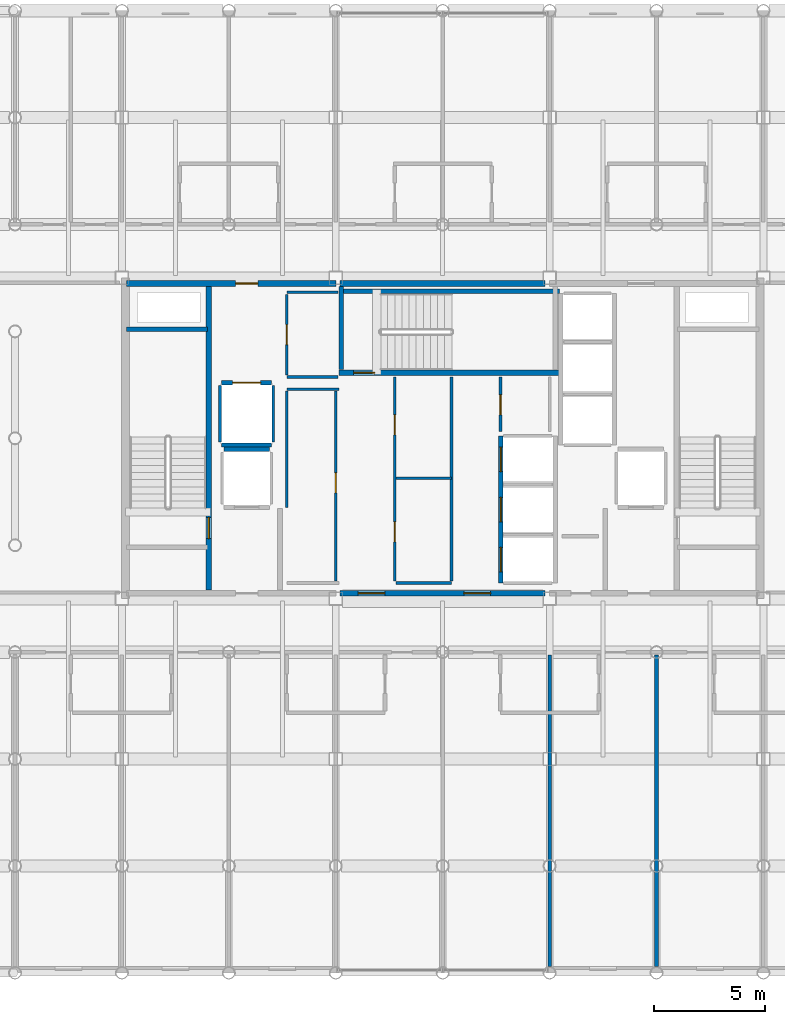
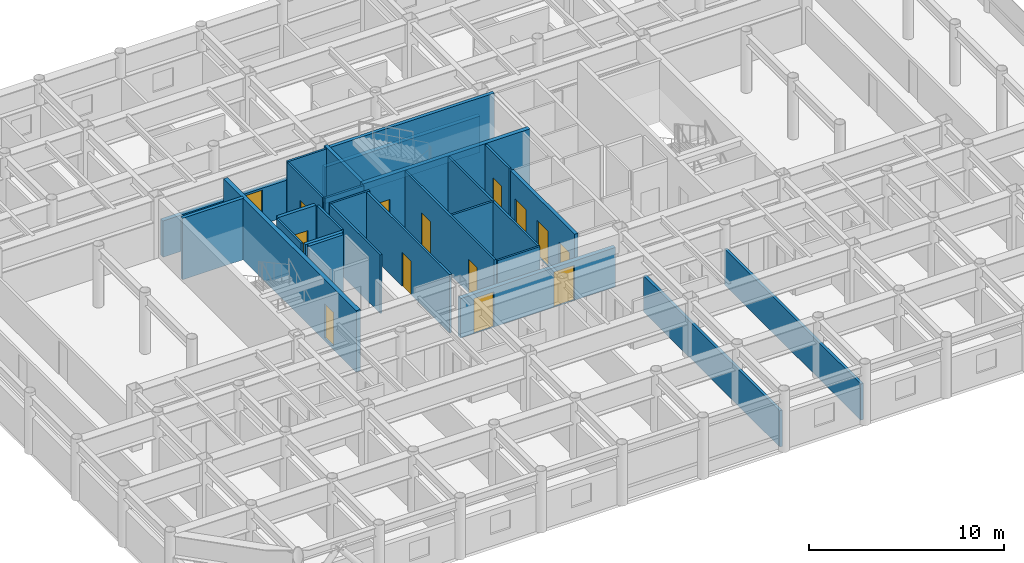
# One storey, part 18 of 22: 27 walls, 14 doors, 14 openings.
"""IFC4 building model written with IfcOpenShell, lengths in metres."""

from ifc_helpers import new_model, si_unit, direction, frame, frame_2d, origin, place, context, subcontext, project, spatial, rectangle, extrude, material, layer, layer_set, type_object, element, fill, save


model = new_model("IFC4")

# Units and contexts
model_context = context("Model", 3, precision=1e-05, world=origin(), true_north=direction((0.0, 1.0)))
body_context = subcontext(model_context, "Body", "Model", "MODEL_VIEW")
ifc_project = project(units=[si_unit("LENGTHUNIT", "METRE"), si_unit("AREAUNIT", "SQUARE_METRE"), si_unit("VOLUMEUNIT", "CUBIC_METRE"), si_unit("PLANEANGLEUNIT", "RADIAN"), si_unit("MASSUNIT", "GRAM", prefix="KILO")], contexts=[model_context])

# Site, building, storey
site_placement = place(None, origin())
site = spatial("IfcSite", under=ifc_project, at=site_placement, CompositionType="ELEMENT")
building_placement = place(site_placement, origin())
building = spatial("IfcBuilding", under=site, at=building_placement, Name="Kallvorn Hotel Tower", CompositionType="ELEMENT")
storey_placement = place(building_placement, frame((0.0, 0.0, 191.5)))
storey = spatial("IfcBuildingStorey", under=building, at=storey_placement, Name="L47", CompositionType="ELEMENT", Elevation=191.5)

# Walls
ifc_material_1 = material(Name="Fire-rated double-layer acoustic gypsum drywall EI 60")
ifc_layer_1 = layer(ifc_material_1, 0.159912109375)
ifc_layer_set_1 = layer_set([ifc_layer_1], Name="WL_DEMISE_160")
wall_type_1 = type_object("IfcWallType", Name="WL_DEMISE_160", PredefinedType="PARTITIONING", material=ifc_layer_set_1)
for number, where, z_axis, x_axis, name in (
    (1, (4.800048828125, -23.7099609375, 0.0), (0.0, 0.0, 1.0), (0.0, 1.0, 0.0), "L47 Suite 4705 Superior Twin Room Partition"),
    (2, (9.60009765625, -23.7099609375, 0.0), (0.0, 0.0, 1.0), (0.0, 1.0, 0.0), "L47 Suite 4706 Superior Twin Room Partition"),
):
    element("IfcWall", number, at=place(storey_placement, frame(where, z_axis=z_axis, x_axis=x_axis)), inside=storey, type_object=wall_type_1, Name=name, PredefinedType="PARTITIONING", context=body_context, shape_type="SweptSolid", body=[
        extrude(rectangle(XDim=13.989990234375, YDim=0.159912109375, at=frame_2d((6.9951171875, 0.0))), origin(), (0.0, 0.0, 1.0), 2.27001953125),
    ])
ifc_material_2 = material(Name="Concrete C40/50", Category="concrete")
ifc_layer_2 = layer(ifc_material_2, 0.199951171875)
ifc_layer_set_2 = layer_set([ifc_layer_2], Name="WL_HOIST_200")
wall_type_2 = type_object("IfcWallType", Name="WL_HOIST_200", PredefinedType="SOLIDWALL", material=ifc_layer_set_2)
wall_1_placement = place(storey_placement, frame((-14.199951171875, 4.89990234375, -0.179931640625), z_axis=(0.0, 0.0, 1.0), x_axis=(1.0, 0.0, 0.0)))
element("IfcWall", 3, at=wall_1_placement, inside=storey, type_object=wall_type_2, Name="L47 Stair ST1 North Wall", PredefinedType="SOLIDWALL", context=body_context, shape_type="SweptSolid", body=[
    extrude(rectangle(XDim=3.64990234375, YDim=0.199951171875, at=frame_2d((1.824951171875, 0.0))), origin(), (0.0, 0.0, 1.0), 3.849853515625),
])
wall_2_placement = place(storey_placement, frame((-4.64990234375, 6.610107421875, -0.179931640625), z_axis=(0.0, 0.0, 1.0), x_axis=(1.0, 0.0, 0.0)))
element("IfcWall", 4, at=wall_2_placement, inside=storey, type_object=wall_type_2, Name="L47 Stair ST3 Shaft North Wall", PredefinedType="SOLIDWALL", context=body_context, shape_type="SweptSolid", body=[
    extrude(rectangle(XDim=9.89990234375, YDim=0.199951171875, at=frame_2d((4.949951171875, 0.0))), origin(), (0.0, 0.0, 1.0), 3.849853515625),
])
wall_3_placement = place(storey_placement, frame((-4.550048828125, 3.080078125, -0.179931640625), z_axis=(0.0, 0.0, 1.0), x_axis=(0.0, 1.0, 0.0)))
element("IfcWall", 5, at=wall_3_placement, inside=storey, type_object=wall_type_2, Name="L47 Stair ST3 West Wall", PredefinedType="SOLIDWALL", context=body_context, shape_type="SweptSolid", body=[
    extrude(rectangle(XDim=3.739990234375, YDim=0.199951171875, at=frame_2d((1.8701171875, 0.0))), origin(), (0.0, 0.0, 1.0), 3.849853515625),
])

# Wall, openings, doors
wall_4_placement = place(storey_placement, frame((2.60009765625, -6.5, 0.0), z_axis=(0.0, 0.0, 1.0), x_axis=(0.0, 1.0, 0.0)))
wall_4 = element("IfcWall", 6, at=wall_4_placement, inside=storey, type_object=wall_type_2, Name="L47 Lift Bank B3A Landing Wall", PredefinedType="SOLIDWALL", context=body_context, shape_type="SweptSolid", body=[
    extrude(rectangle(XDim=6.60009765625, YDim=0.199951171875, at=frame_2d((3.300048828125, 0.0))), origin(), (0.0, 0.0, 1.0), 3.669921875),
])
opening_1_placement = place(wall_4_placement, frame((0.5, 0.0, 0.0)))
opening_1 = element("IfcOpeningElement", 7, at=opening_1_placement, cuts=wall_4, Name="Opening LD-PL-09", PredefinedType="OPENING", context=body_context, shape_type="SweptSolid", body=[
    extrude(rectangle(XDim=1.10009765625, YDim=2.199951171875, at=frame_2d((0.550048828125, 1.10009765625))), frame((0.0, 0.114990234375, 0.0), z_axis=(0.0, -1.0, 0.0), x_axis=(1.0, 0.0, 0.0)), (0.0, 0.0, 1.0), 0.22998046875),
])
opening_2_placement = place(wall_4_placement, frame((2.75, 0.0, 0.0)))
opening_2 = element("IfcOpeningElement", 8, at=opening_2_placement, cuts=wall_4, Name="Opening LD-PL-10", PredefinedType="OPENING", context=body_context, shape_type="SweptSolid", body=[
    extrude(rectangle(XDim=1.10009765625, YDim=2.199951171875, at=frame_2d((0.550048828125, 1.10009765625))), frame((0.0, 0.114990234375, 0.0), z_axis=(0.0, -1.0, 0.0), x_axis=(1.0, 0.0, 0.0)), (0.0, 0.0, 1.0), 0.22998046875),
])
opening_3_placement = place(wall_4_placement, frame((5.0, 0.0, 0.0)))
opening_3 = element("IfcOpeningElement", 9, at=opening_3_placement, cuts=wall_4, Name="Opening LD-PL-11", PredefinedType="OPENING", context=body_context, shape_type="SweptSolid", body=[
    extrude(rectangle(XDim=1.10009765625, YDim=2.199951171875, at=frame_2d((0.550048828125, 1.10009765625))), frame((0.0, 0.114990234375, 0.0), z_axis=(0.0, -1.0, 0.0), x_axis=(1.0, 0.0, 0.0)), (0.0, 0.0, 1.0), 0.22998046875),
])
ifc_material_3 = material(Name="Brushed stainless-steel automatic sliding lift landing door", Category="steel")
door_type_1 = type_object("IfcDoorType", Name="LD_PASS_1100x2200", OperationType="SLIDING_TO_LEFT", PredefinedType="DOOR", material=ifc_material_3)
door_1_placement = place(opening_1_placement, origin())
door_1 = element("IfcDoor", 10, at=door_1_placement, inside=storey, type_object=door_type_1, Name="L47 Lift Landing Sliding Door LD-PL-09", OperationType="SLIDING_TO_LEFT", OverallHeight=2.199951171875, OverallWidth=1.10009765625, PredefinedType="DOOR", context=body_context, shape_type="SweptSolid", body=[
    extrude(rectangle(XDim=1.10009765625, YDim=2.199951171875, at=frame_2d((0.550048828125, 1.10009765625))), frame((0.0, 0.02490234375, 0.0), z_axis=(0.0, -1.0, 0.0), x_axis=(1.0, 0.0, 0.0)), (0.0, 0.0, 1.0), 0.050048828125),
])
fill(opening_1, door_1)
door_2_placement = place(opening_2_placement, origin())
door_2 = element("IfcDoor", 11, at=door_2_placement, inside=storey, type_object=door_type_1, Name="L47 Lift Landing Sliding Door LD-PL-10", OperationType="SLIDING_TO_LEFT", OverallHeight=2.199951171875, OverallWidth=1.10009765625, PredefinedType="DOOR", context=body_context, shape_type="SweptSolid", body=[
    extrude(rectangle(XDim=1.10009765625, YDim=2.199951171875, at=frame_2d((0.550048828125, 1.10009765625))), frame((0.0, 0.02490234375, 0.0), z_axis=(0.0, -1.0, 0.0), x_axis=(1.0, 0.0, 0.0)), (0.0, 0.0, 1.0), 0.050048828125),
])
fill(opening_2, door_2)
door_3_placement = place(opening_3_placement, origin())
door_3 = element("IfcDoor", 12, at=door_3_placement, inside=storey, type_object=door_type_1, Name="L47 Lift Landing Sliding Door LD-PL-11", OperationType="SLIDING_TO_LEFT", OverallHeight=2.199951171875, OverallWidth=1.10009765625, PredefinedType="DOOR", context=body_context, shape_type="SweptSolid", body=[
    extrude(rectangle(XDim=1.10009765625, YDim=2.199951171875, at=frame_2d((0.550048828125, 1.10009765625))), frame((0.0, 0.02490234375, 0.0), z_axis=(0.0, -1.0, 0.0), x_axis=(1.0, 0.0, 0.0)), (0.0, 0.0, 1.0), 0.050048828125),
])
fill(opening_3, door_3)

# Wall
wall_5_placement = place(storey_placement, frame((-9.820068359375, -0.5, 0.0), z_axis=(0.0, 0.0, 1.0), x_axis=(1.0, 0.0, 0.0)))
element("IfcWall", 13, at=wall_5_placement, inside=storey, type_object=wall_type_2, Name="L47 FL-1 Rear Shaft Wall", PredefinedType="SOLIDWALL", context=body_context, shape_type="SweptSolid", body=[
    extrude(rectangle(XDim=2.0400390625, YDim=0.199951171875, at=frame_2d((1.02001953125, 0.0))), origin(), (0.0, 0.0, 1.0), 3.669921875),
])

# Wall, opening, door
wall_6_placement = place(storey_placement, frame((-9.919921875, 2.5, 0.0), z_axis=(0.0, 0.0, 1.0), x_axis=(1.0, 0.0, 0.0)))
wall_6 = element("IfcWall", 14, at=wall_6_placement, inside=storey, type_object=wall_type_2, Name="L47 SV-01 Landing Wall", PredefinedType="SOLIDWALL", context=body_context, shape_type="SweptSolid", body=[
    extrude(rectangle(XDim=2.239990234375, YDim=0.199951171875, at=frame_2d((1.1201171875, 0.0))), origin(), (0.0, 0.0, 1.0), 3.669921875),
])
opening_4_placement = place(wall_6_placement, frame((0.4951171875, 0.0, 0.0)))
opening_4 = element("IfcOpeningElement", 15, at=opening_4_placement, cuts=wall_6, Name="Opening LD-SV-01", PredefinedType="OPENING", context=body_context, shape_type="SweptSolid", body=[
    extrude(rectangle(XDim=1.25, YDim=2.25, at=frame_2d((0.625, 1.125))), frame((0.0, 0.114990234375, 0.0), z_axis=(0.0, -1.0, 0.0), x_axis=(1.0, 0.0, 0.0)), (0.0, 0.0, 1.0), 0.22998046875),
])
ifc_material_4 = material(Name="Brushed stainless-steel automatic sliding lift landing door", Category="steel")
door_type_2 = type_object("IfcDoorType", Name="LD_SERV_1250x2250", OperationType="SLIDING_TO_LEFT", PredefinedType="DOOR", material=ifc_material_4)
door_4_placement = place(opening_4_placement, origin())
door_4 = element("IfcDoor", 16, at=door_4_placement, inside=storey, type_object=door_type_2, Name="L47 Lift Landing Sliding Door LD-SV-01", OperationType="SLIDING_TO_LEFT", OverallHeight=2.25, OverallWidth=1.25, PredefinedType="DOOR", context=body_context, shape_type="SweptSolid", body=[
    extrude(rectangle(XDim=1.25, YDim=2.25, at=frame_2d((0.625, 1.125))), frame((0.0, 0.02490234375, 0.0), z_axis=(0.0, -1.0, 0.0), x_axis=(1.0, 0.0, 0.0)), (0.0, 0.0, 1.0), 0.050048828125),
])
fill(opening_4, door_4)

# Walls
wall_7_placement = place(storey_placement, frame((-9.919921875, -0.300048828125, 0.0), z_axis=(0.0, 0.0, 1.0), x_axis=(1.0, 0.0, 0.0)))
element("IfcWall", 17, at=wall_7_placement, inside=storey, type_object=wall_type_2, Name="L47 SV-01 Rear Shaft Wall", PredefinedType="SOLIDWALL", context=body_context, shape_type="SweptSolid", body=[
    extrude(rectangle(XDim=2.239990234375, YDim=0.199951171875, at=frame_2d((1.1201171875, 0.0))), origin(), (0.0, 0.0, 1.0), 3.669921875),
])
ifc_material_5 = material(Name="Fire-rated double-layer acoustic gypsum drywall EI 60")
ifc_layer_3 = layer(ifc_material_5, 0.1201171875)
ifc_layer_set_3 = layer_set([ifc_layer_3], Name="WL_INT_120")
wall_type_3 = type_object("IfcWallType", Name="WL_INT_120", PredefinedType="PARTITIONING", material=ifc_layer_set_3)
for number, where, z_axis, x_axis, name in (
    (18, (-10.0, -0.159912109375, 0.0), (0.0, 0.0, 1.0), (0.0, 1.0, 0.0), "L47 SV-01 West Shaft Wall"),
    (19, (-7.60009765625, -0.159912109375, 0.0), (0.0, 0.0, 1.0), (0.0, 1.0, 0.0), "L47 SV-01 East Shaft Wall"),
):
    element("IfcWall", number, at=place(storey_placement, frame(where, z_axis=z_axis, x_axis=x_axis)), inside=storey, type_object=wall_type_3, Name=name, PredefinedType="PARTITIONING", context=body_context, shape_type="SweptSolid", body=[
        extrude(rectangle(XDim=2.52001953125, YDim=0.1201171875, at=frame_2d((1.260009765625, 0.0))), origin(), (0.0, 0.0, 1.0), 3.669921875),
    ])
for number, where, z_axis, x_axis, name in (
    (20, (-2.10009765625, -6.5, 0.0), (0.0, 0.0, 1.0), (1.0, 0.0, 0.0), "L47 High-Zone Sommelier and Beverage Pantry Partition"),
    (21, (-2.10009765625, -1.800048828125, 0.0), (0.0, 0.0, 1.0), (1.0, 0.0, 0.0), "L47 High-Zone Housekeeping Reserve Store Partition"),
):
    element("IfcWall", number, at=place(storey_placement, frame(where, z_axis=z_axis, x_axis=x_axis)), inside=storey, type_object=wall_type_3, Name=name, PredefinedType="PARTITIONING", context=body_context, shape_type="SweptSolid", body=[
        extrude(rectangle(XDim=2.5, YDim=0.1201171875, at=frame_2d((1.25, 0.0))), origin(), (0.0, 0.0, 1.0), 3.669921875),
    ])
wall_8_placement = place(storey_placement, frame((-7.0, 2.199951171875, 0.0), z_axis=(0.0, 0.0, 1.0), x_axis=(1.0, 0.0, 0.0)))
element("IfcWall", 22, at=wall_8_placement, inside=storey, type_object=wall_type_3, Name="L47 Recaptured Butler and Room-Service Pantry Partition", PredefinedType="PARTITIONING", context=body_context, shape_type="SweptSolid", body=[
    extrude(rectangle(XDim=2.35009765625, YDim=0.1201171875, at=frame_2d((1.175048828125, 0.0))), origin(), (0.0, 0.0, 1.0), 3.669921875),
])
for number, where, z_axis, x_axis, name in (
    (23, (-7.0, 2.75, 0.0), (0.0, 0.0, 1.0), (1.0, 0.0, 0.0), "L47 Recaptured Valet and Linen Reserve Store Partition"),
    (24, (-7.0, 6.550048828125, 0.0), (0.0, 0.0, 1.0), (1.0, 0.0, 0.0), "L47 Recaptured Valet and Linen Reserve Store Partition"),
):
    element("IfcWall", number, at=place(storey_placement, frame(where, z_axis=z_axis, x_axis=x_axis)), inside=storey, type_object=wall_type_3, Name=name, PredefinedType="PARTITIONING", context=body_context, shape_type="SweptSolid", body=[
        extrude(rectangle(XDim=2.31005859375, YDim=0.1201171875, at=frame_2d((1.155029296875, 0.0))), origin(), (0.0, 0.0, 1.0), 3.669921875),
    ])
wall_9_placement = place(storey_placement, frame((-7.0048828125, -3.110107421875, 0.0), z_axis=(0.0, 0.0, 1.0), x_axis=(0.0, 1.0, 0.0)))
element("IfcWall", 25, at=wall_9_placement, inside=storey, type_object=wall_type_3, Name="L47 Recaptured Butler and Room-Service Pantry Partition", PredefinedType="PARTITIONING", context=body_context, shape_type="SweptSolid", body=[
    extrude(rectangle(XDim=5.22509765625, YDim=0.1201171875, at=frame_2d((2.612548828125, 0.0))), origin(), (0.0, 0.0, 1.0), 3.669921875),
])

# Wall, opening, door
wall_10_placement = place(storey_placement, frame((-7.0048828125, 2.8349609375, 0.0), z_axis=(0.0, 0.0, 1.0), x_axis=(0.0, 1.0, 0.0)))
wall_10 = element("IfcWall", 26, at=wall_10_placement, inside=storey, type_object=wall_type_3, Name="L47 Recaptured Valet and Linen Reserve Store Partition", PredefinedType="PARTITIONING", context=body_context, shape_type="SweptSolid", body=[
    extrude(rectangle(XDim=3.630126953125, YDim=0.1201171875, at=frame_2d((1.81494140625, 0.0))), origin(), (0.0, 0.0, 1.0), 3.669921875),
])
opening_5_placement = place(wall_10_placement, frame((1.364990234375, 0.0, 0.0)))
opening_5 = element("IfcOpeningElement", 27, at=opening_5_placement, cuts=wall_10, Name="Opening SVD1", PredefinedType="OPENING", context=body_context, shape_type="SweptSolid", body=[
    extrude(rectangle(XDim=0.89990234375, YDim=2.10009765625, at=frame_2d((0.449951171875, 1.050048828125))), frame((0.0, 0.074951171875, 0.0), z_axis=(0.0, -1.0, 0.0), x_axis=(1.0, 0.0, 0.0)), (0.0, 0.0, 1.0), 0.150146484375),
])
ifc_material_6 = material(Name="Galvanised painted steel fire-rated door assembly", Category="steel")
door_type_3 = type_object("IfcDoorType", Name="DR_SERV_900x2100", OperationType="NOTDEFINED", PredefinedType="DOOR", material=ifc_material_6)
door_5_placement = place(opening_5_placement, origin())
door_5 = element("IfcDoor", 28, at=door_5_placement, inside=storey, type_object=door_type_3, Name="L47 Recaptured Valet and Linen Reserve Store Door", OperationType="SINGLE_SWING_LEFT", OverallHeight=2.10009765625, OverallWidth=0.89990234375, PredefinedType="DOOR", context=body_context, shape_type="SweptSolid", body=[
    extrude(rectangle(XDim=0.89990234375, YDim=2.10009765625, at=frame_2d((0.449951171875, 1.050048828125))), frame((0.0, 0.02490234375, 0.0), z_axis=(0.0, -1.0, 0.0), x_axis=(1.0, 0.0, 0.0)), (0.0, 0.0, 1.0), 0.050048828125),
])
fill(opening_5, door_5)

wall_11_placement = place(storey_placement, frame((-4.800048828125, -6.4150390625, 0.0), z_axis=(0.0, 0.0, 1.0), x_axis=(0.0, 1.0, 0.0)))
wall_11 = element("IfcWall", 29, at=wall_11_placement, inside=storey, type_object=wall_type_3, Name="L47 Recaptured Butler and Room-Service Pantry Partition", PredefinedType="PARTITIONING", context=body_context, shape_type="SweptSolid", body=[
    extrude(rectangle(XDim=8.530029296875, YDim=0.1201171875, at=frame_2d((4.26513671875, 0.0))), origin(), (0.0, 0.0, 1.0), 3.669921875),
])
opening_6_placement = place(wall_11_placement, frame((3.965087890625, 0.0, 0.0)))
opening_6 = element("IfcOpeningElement", 30, at=opening_6_placement, cuts=wall_11, Name="Opening SVD1", PredefinedType="OPENING", context=body_context, shape_type="SweptSolid", body=[
    extrude(rectangle(XDim=0.89990234375, YDim=2.10009765625, at=frame_2d((0.449951171875, 1.050048828125))), frame((0.0, 0.074951171875, 0.0), z_axis=(0.0, -1.0, 0.0), x_axis=(1.0, 0.0, 0.0)), (0.0, 0.0, 1.0), 0.150146484375),
])
door_6_placement = place(opening_6_placement, origin())
door_6 = element("IfcDoor", 31, at=door_6_placement, inside=storey, type_object=door_type_3, Name="L47 Recaptured Butler and Room-Service Pantry Door", OperationType="SINGLE_SWING_RIGHT", OverallHeight=2.10009765625, OverallWidth=0.89990234375, PredefinedType="DOOR", context=body_context, shape_type="SweptSolid", body=[
    extrude(rectangle(XDim=0.89990234375, YDim=2.10009765625, at=frame_2d((0.449951171875, 1.050048828125))), frame((0.0, 0.02490234375, 0.0), z_axis=(0.0, -1.0, 0.0), x_axis=(1.0, 0.0, 0.0)), (0.0, 0.0, 1.0), 0.050048828125),
])
fill(opening_6, door_6)

# Wall, openings, doors
wall_12_placement = place(storey_placement, frame((-2.155029296875, -6.4150390625, 0.0), z_axis=(0.0, 0.0, 1.0), x_axis=(0.0, 1.0, 0.0)))
wall_12 = element("IfcWall", 32, at=wall_12_placement, inside=storey, type_object=wall_type_3, Name="L47 High-Zone Sommelier and Beverage Pantry Partition", PredefinedType="PARTITIONING", context=body_context, shape_type="SweptSolid", body=[
    extrude(rectangle(XDim=9.1650390625, YDim=0.1201171875, at=frame_2d((4.58251953125, 0.0))), origin(), (0.0, 0.0, 1.0), 3.669921875),
])
opening_7_placement = place(wall_12_placement, frame((1.764892578125, 0.0, 0.0)))
opening_7 = element("IfcOpeningElement", 33, at=opening_7_placement, cuts=wall_12, Name="Opening SVD1", PredefinedType="OPENING", context=body_context, shape_type="SweptSolid", body=[
    extrude(rectangle(XDim=0.89990234375, YDim=2.10009765625, at=frame_2d((0.449951171875, 1.050048828125))), frame((0.0, 0.074951171875, 0.0), z_axis=(0.0, -1.0, 0.0), x_axis=(1.0, 0.0, 0.0)), (0.0, 0.0, 1.0), 0.150146484375),
])
opening_8_placement = place(wall_12_placement, frame((6.56494140625, 0.0, 0.0)))
opening_8 = element("IfcOpeningElement", 34, at=opening_8_placement, cuts=wall_12, Name="Opening SVD1", PredefinedType="OPENING", context=body_context, shape_type="SweptSolid", body=[
    extrude(rectangle(XDim=0.89990234375, YDim=2.10009765625, at=frame_2d((0.449951171875, 1.050048828125))), frame((0.0, 0.074951171875, 0.0), z_axis=(0.0, -1.0, 0.0), x_axis=(1.0, 0.0, 0.0)), (0.0, 0.0, 1.0), 0.150146484375),
])
door_7_placement = place(opening_7_placement, origin())
door_7 = element("IfcDoor", 35, at=door_7_placement, inside=storey, type_object=door_type_3, Name="L47 High-Zone Sommelier and Beverage Pantry Door", OperationType="SINGLE_SWING_LEFT", OverallHeight=2.10009765625, OverallWidth=0.89990234375, PredefinedType="DOOR", context=body_context, shape_type="SweptSolid", body=[
    extrude(rectangle(XDim=0.89990234375, YDim=2.10009765625, at=frame_2d((0.449951171875, 1.050048828125))), frame((0.0, 0.02490234375, 0.0), z_axis=(0.0, -1.0, 0.0), x_axis=(1.0, 0.0, 0.0)), (0.0, 0.0, 1.0), 0.050048828125),
])
fill(opening_7, door_7)
door_8_placement = place(opening_8_placement, origin())
door_8 = element("IfcDoor", 36, at=door_8_placement, inside=storey, type_object=door_type_3, Name="L47 High-Zone Housekeeping Reserve Store Door", OperationType="SINGLE_SWING_LEFT", OverallHeight=2.10009765625, OverallWidth=0.89990234375, PredefinedType="DOOR", context=body_context, shape_type="SweptSolid", body=[
    extrude(rectangle(XDim=0.89990234375, YDim=2.10009765625, at=frame_2d((0.449951171875, 1.050048828125))), frame((0.0, 0.02490234375, 0.0), z_axis=(0.0, -1.0, 0.0), x_axis=(1.0, 0.0, 0.0)), (0.0, 0.0, 1.0), 0.050048828125),
])
fill(opening_8, door_8)

# Wall
wall_13_placement = place(storey_placement, frame((0.39990234375, -6.4150390625, 0.0), z_axis=(0.0, 0.0, 1.0), x_axis=(0.0, 1.0, 0.0)))
element("IfcWall", 37, at=wall_13_placement, inside=storey, type_object=wall_type_3, Name="L47 High-Zone Sommelier and Beverage Pantry Partition", PredefinedType="PARTITIONING", context=body_context, shape_type="SweptSolid", body=[
    extrude(rectangle(XDim=9.1650390625, YDim=0.1201171875, at=frame_2d((4.58251953125, 0.0))), origin(), (0.0, 0.0, 1.0), 3.669921875),
])

# Wall, opening, door
wall_14_placement = place(storey_placement, frame((2.59326171875, 0.300048828125, 0.0), z_axis=(0.0, 0.0, 1.0), x_axis=(0.0, 1.0, 0.0)))
wall_14 = element("IfcWall", 38, at=wall_14_placement, inside=storey, type_object=wall_type_3, Name="L47 East Core Janitor Room Partition", PredefinedType="PARTITIONING", context=body_context, shape_type="SweptSolid", body=[
    extrude(rectangle(XDim=2.449951171875, YDim=0.1201171875, at=frame_2d((1.22509765625, 0.0))), origin(), (0.0, 0.0, 1.0), 3.669921875),
])
opening_9_placement = place(wall_14_placement, frame((0.75, 0.0, 0.0)))
opening_9 = element("IfcOpeningElement", 39, at=opening_9_placement, cuts=wall_14, Name="Opening SVD1", PredefinedType="OPENING", context=body_context, shape_type="SweptSolid", body=[
    extrude(rectangle(XDim=0.89990234375, YDim=2.10009765625, at=frame_2d((0.449951171875, 1.050048828125))), frame((0.0, 0.074951171875, 0.0), z_axis=(0.0, -1.0, 0.0), x_axis=(1.0, 0.0, 0.0)), (0.0, 0.0, 1.0), 0.150146484375),
])
door_9_placement = place(opening_9_placement, origin())
door_9 = element("IfcDoor", 40, at=door_9_placement, inside=storey, type_object=door_type_3, Name="L47 East Core Janitor Room Door", OperationType="SINGLE_SWING_LEFT", OverallHeight=2.10009765625, OverallWidth=0.89990234375, PredefinedType="DOOR", context=body_context, shape_type="SweptSolid", body=[
    extrude(rectangle(XDim=0.89990234375, YDim=2.10009765625, at=frame_2d((0.449951171875, 1.050048828125))), frame((0.0, 0.02490234375, 0.0), z_axis=(0.0, -1.0, 0.0), x_axis=(1.0, 0.0, 0.0)), (0.0, 0.0, 1.0), 0.050048828125),
])
fill(opening_9, door_9)

# Wall, openings, doors
ifc_material_7 = material(Name="Concrete C40/50", Category="concrete")
ifc_layer_4 = layer(ifc_material_7, 0.25)
ifc_layer_set_4 = layer_set([ifc_layer_4], Name="WL_SHAFT_250")
wall_type_4 = type_object("IfcWallType", Name="WL_SHAFT_250", PredefinedType="SOLIDWALL", material=ifc_layer_set_4)
wall_15_placement = place(storey_placement, frame((-4.60009765625, -6.949951171875, 0.0), z_axis=(0.0, 0.0, 1.0), x_axis=(1.0, 0.0, 0.0)))
wall_15 = element("IfcWall", 41, at=wall_15_placement, inside=storey, type_object=wall_type_4, Name="L47 Core South-Central Wall", PredefinedType="SOLIDWALL", context=body_context, shape_type="SweptSolid", body=[
    extrude(rectangle(XDim=9.2001953125, YDim=0.25, at=frame_2d((4.60009765625, 0.0))), origin(), (0.0, 0.0, 1.0), 2.469970703125),
])
opening_10_placement = place(wall_15_placement, frame((0.800048828125, 0.0, 0.0)))
opening_10 = element("IfcOpeningElement", 42, at=opening_10_placement, cuts=wall_15, Name="Opening FD2", PredefinedType="OPENING", context=body_context, shape_type="SweptSolid", body=[
    extrude(rectangle(XDim=1.199951171875, YDim=2.199951171875, at=frame_2d((0.60009765625, 1.10009765625))), frame((0.0, 0.139892578125, 0.0), z_axis=(0.0, -1.0, 0.0), x_axis=(1.0, 0.0, 0.0)), (0.0, 0.0, 1.0), 0.280029296875),
])
opening_11_placement = place(wall_15_placement, frame((5.550048828125, 0.0, 0.0)))
opening_11 = element("IfcOpeningElement", 43, at=opening_11_placement, cuts=wall_15, Name="Opening FD2", PredefinedType="OPENING", context=body_context, shape_type="SweptSolid", body=[
    extrude(rectangle(XDim=1.199951171875, YDim=2.199951171875, at=frame_2d((0.60009765625, 1.10009765625))), frame((0.0, 0.139892578125, 0.0), z_axis=(0.0, -1.0, 0.0), x_axis=(1.0, 0.0, 0.0)), (0.0, 0.0, 1.0), 0.280029296875),
])
ifc_material_8 = material(Name="Galvanised painted steel fire-rated door assembly", Category="steel")
door_type_4 = type_object("IfcDoorType", Name="DR_LOBBY_1200x2200", OperationType="DOUBLE_DOOR_SINGLE_SWING", PredefinedType="DOOR", material=ifc_material_8)
door_10_placement = place(opening_10_placement, origin())
door_10 = element("IfcDoor", 44, at=door_10_placement, inside=storey, type_object=door_type_4, Name="L47 West Passenger Lift Lobby Door", OperationType="DOUBLE_DOOR_SINGLE_SWING", OverallHeight=2.199951171875, OverallWidth=1.199951171875, PredefinedType="DOOR", context=body_context, shape_type="SweptSolid", body=[
    extrude(rectangle(XDim=1.199951171875, YDim=2.199951171875, at=frame_2d((0.60009765625, 1.10009765625))), frame((0.0, 0.02490234375, 0.0), z_axis=(0.0, -1.0, 0.0), x_axis=(1.0, 0.0, 0.0)), (0.0, 0.0, 1.0), 0.050048828125),
])
fill(opening_10, door_10)
door_11_placement = place(opening_11_placement, origin())
door_11 = element("IfcDoor", 45, at=door_11_placement, inside=storey, type_object=door_type_4, Name="L47 East Passenger Lift Lobby Door", OperationType="DOUBLE_DOOR_SINGLE_SWING", OverallHeight=2.199951171875, OverallWidth=1.199951171875, PredefinedType="DOOR", context=body_context, shape_type="SweptSolid", body=[
    extrude(rectangle(XDim=1.199951171875, YDim=2.199951171875, at=frame_2d((0.60009765625, 1.10009765625))), frame((0.0, 0.02490234375, 0.0), z_axis=(0.0, -1.0, 0.0), x_axis=(1.0, 0.0, 0.0)), (0.0, 0.0, 1.0), 0.050048828125),
])
fill(opening_11, door_11)

# Wall, opening, door
wall_16_placement = place(storey_placement, frame((-14.199951171875, 6.949951171875, 0.0), z_axis=(0.0, 0.0, 1.0), x_axis=(1.0, 0.0, 0.0)))
wall_16 = element("IfcWall", 46, at=wall_16_placement, inside=storey, type_object=wall_type_4, Name="L47 Core North-West Wall", PredefinedType="SOLIDWALL", context=body_context, shape_type="SweptSolid", body=[
    extrude(rectangle(XDim=9.39990234375, YDim=0.25, at=frame_2d((4.699951171875, 0.0))), origin(), (0.0, 0.0, 1.0), 2.27001953125),
])
opening_12_placement = place(wall_16_placement, frame((4.89990234375, 0.0, 0.0)))
opening_12 = element("IfcOpeningElement", 47, at=opening_12_placement, cuts=wall_16, Name="Opening FD1", PredefinedType="OPENING", context=body_context, shape_type="SweptSolid", body=[
    extrude(rectangle(XDim=1.0, YDim=2.14990234375, at=frame_2d((0.5, 1.074951171875))), frame((0.0, 0.139892578125, 0.0), z_axis=(0.0, -1.0, 0.0), x_axis=(1.0, 0.0, 0.0)), (0.0, 0.0, 1.0), 0.280029296875),
])
ifc_material_9 = material(Name="Galvanised painted steel fire-rated door assembly", Category="steel")
door_type_5 = type_object("IfcDoorType", Name="DR_FFL_1000x2150", OperationType="NOTDEFINED", PredefinedType="DOOR", material=ifc_material_9)
door_12_placement = place(opening_12_placement, origin())
door_12 = element("IfcDoor", 48, at=door_12_placement, inside=storey, type_object=door_type_5, Name="L47 Service Lift Lobby Door", OperationType="SINGLE_SWING_LEFT", OverallHeight=2.14990234375, OverallWidth=1.0, PredefinedType="DOOR", context=body_context, shape_type="SweptSolid", body=[
    extrude(rectangle(XDim=1.0, YDim=2.14990234375, at=frame_2d((0.5, 1.074951171875))), frame((0.0, 0.02490234375, 0.0), z_axis=(0.0, -1.0, 0.0), x_axis=(1.0, 0.0, 0.0)), (0.0, 0.0, 1.0), 0.050048828125),
])
fill(opening_12, door_12)

# Wall
wall_17_placement = place(storey_placement, frame((-4.60009765625, 6.949951171875, 0.0), z_axis=(0.0, 0.0, 1.0), x_axis=(1.0, 0.0, 0.0)))
element("IfcWall", 49, at=wall_17_placement, inside=storey, type_object=wall_type_4, Name="L47 Core North-Central Wall", PredefinedType="SOLIDWALL", context=body_context, shape_type="SweptSolid", body=[
    extrude(rectangle(XDim=9.2001953125, YDim=0.25, at=frame_2d((4.60009765625, 0.0))), origin(), (0.0, 0.0, 1.0), 2.27001953125),
])

# Wall, opening, door
wall_18_placement = place(storey_placement, frame((-10.5, -6.820068359375, -0.179931640625), z_axis=(0.0, 0.0, 1.0), x_axis=(0.0, 1.0, 0.0)))
wall_18 = element("IfcWall", 50, at=wall_18_placement, inside=storey, type_object=wall_type_4, Name="L47 Stair ST1 Shaft Wall", PredefinedType="SOLIDWALL", context=body_context, shape_type="SweptSolid", body=[
    extrude(rectangle(XDim=13.64013671875, YDim=0.25, at=frame_2d((6.820068359375, 0.0))), origin(), (0.0, 0.0, 1.0), 3.849853515625),
])
opening_13_placement = place(wall_18_placement, frame((2.320068359375, 0.0, 0.179931640625)))
opening_13 = element("IfcOpeningElement", 51, at=opening_13_placement, cuts=wall_18, Name="Opening SD1", PredefinedType="OPENING", context=body_context, shape_type="SweptSolid", body=[
    extrude(rectangle(XDim=0.949951171875, YDim=2.14990234375, at=frame_2d((0.47509765625, 1.074951171875))), frame((0.0, 0.139892578125, 0.0), z_axis=(0.0, -1.0, 0.0), x_axis=(1.0, 0.0, 0.0)), (0.0, 0.0, 1.0), 0.280029296875),
])
ifc_material_10 = material(Name="Galvanised painted steel fire-rated door assembly", Category="steel")
door_type_6 = type_object("IfcDoorType", Name="DR_STAIR_950x2150", OperationType="NOTDEFINED", PredefinedType="DOOR", material=ifc_material_10)
door_13_placement = place(opening_13_placement, origin())
door_13 = element("IfcDoor", 52, at=door_13_placement, inside=storey, type_object=door_type_6, Name="L47 Exit Stair ST1 Fire Door", OperationType="SINGLE_SWING_LEFT", OverallHeight=2.14990234375, OverallWidth=0.949951171875, PredefinedType="DOOR", context=body_context, shape_type="SweptSolid", body=[
    extrude(rectangle(XDim=0.949951171875, YDim=2.14990234375, at=frame_2d((0.47509765625, 1.074951171875))), frame((0.0, 0.02490234375, 0.0), z_axis=(0.0, -1.0, 0.0), x_axis=(1.0, 0.0, 0.0)), (0.0, 0.0, 1.0), 0.050048828125),
])
fill(opening_13, door_13)

wall_19_placement = place(storey_placement, frame((-4.64990234375, 2.949951171875, -0.179931640625), z_axis=(0.0, 0.0, 1.0), x_axis=(1.0, 0.0, 0.0)))
wall_19 = element("IfcWall", 53, at=wall_19_placement, inside=storey, type_object=wall_type_4, Name="L47 Stair ST3 Shaft South Wall", PredefinedType="SOLIDWALL", context=body_context, shape_type="SweptSolid", body=[
    extrude(rectangle(XDim=9.89990234375, YDim=0.25, at=frame_2d((4.949951171875, 0.0))), origin(), (0.0, 0.0, 1.0), 3.849853515625),
])
opening_14_placement = place(wall_19_placement, frame((0.64990234375, 0.0, 0.179931640625)))
opening_14 = element("IfcOpeningElement", 54, at=opening_14_placement, cuts=wall_19, Name="Opening SD1", PredefinedType="OPENING", context=body_context, shape_type="SweptSolid", body=[
    extrude(rectangle(XDim=0.949951171875, YDim=2.14990234375, at=frame_2d((0.47509765625, 1.074951171875))), frame((0.0, 0.139892578125, 0.0), z_axis=(0.0, -1.0, 0.0), x_axis=(1.0, 0.0, 0.0)), (0.0, 0.0, 1.0), 0.280029296875),
])
door_14_placement = place(opening_14_placement, origin())
door_14 = element("IfcDoor", 55, at=door_14_placement, inside=storey, type_object=door_type_6, Name="L47 Exit Stair ST3 Fire Door", OperationType="SINGLE_SWING_RIGHT", OverallHeight=2.14990234375, OverallWidth=0.949951171875, PredefinedType="DOOR", context=body_context, shape_type="SweptSolid", body=[
    extrude(rectangle(XDim=0.949951171875, YDim=2.14990234375, at=frame_2d((0.47509765625, 1.074951171875))), frame((0.0, 0.02490234375, 0.0), z_axis=(0.0, -1.0, 0.0), x_axis=(1.0, 0.0, 0.0)), (0.0, 0.0, 1.0), 0.050048828125),
])
fill(opening_14, door_14)

save(model, "model.ifc")
